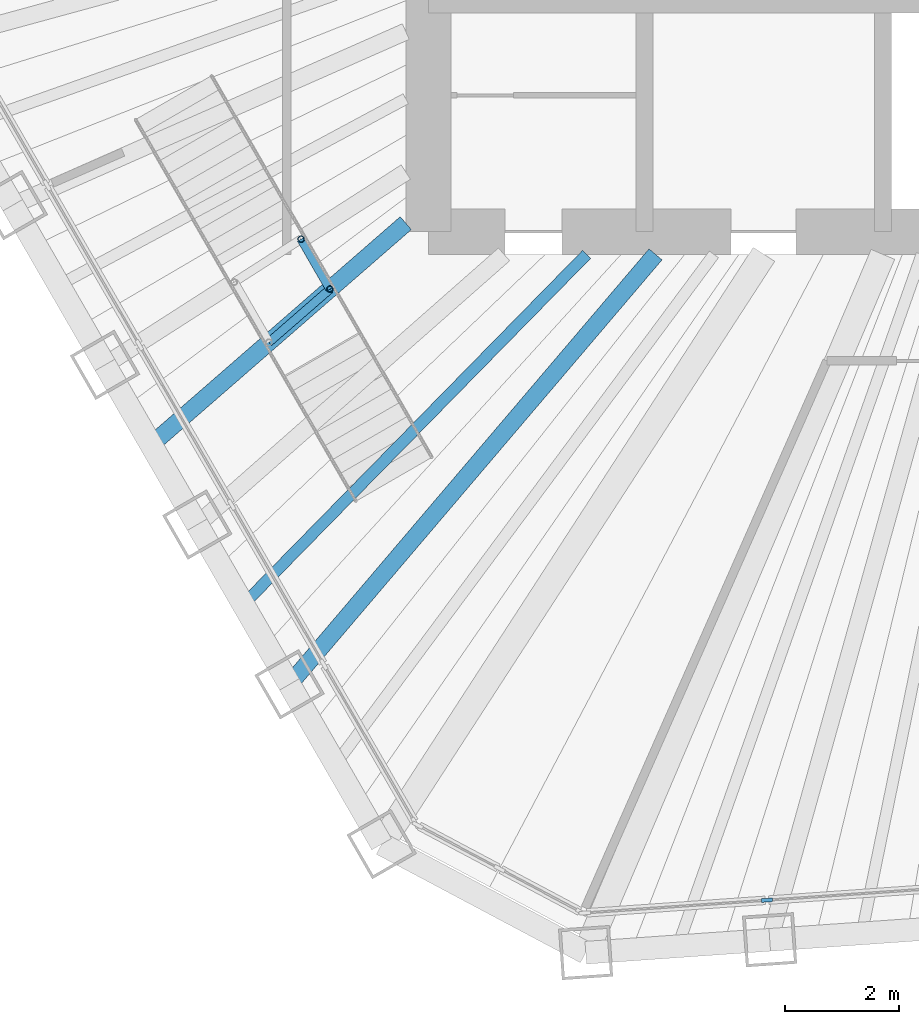
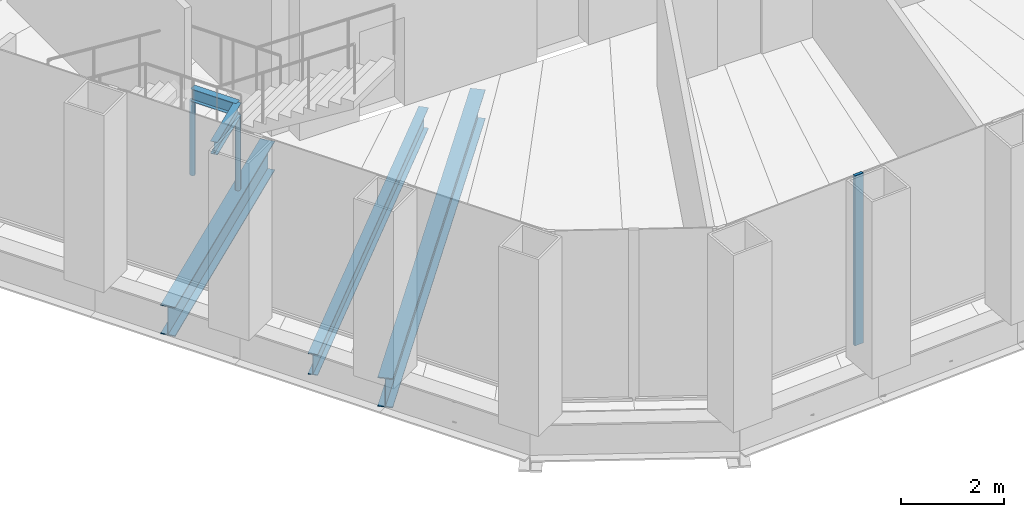
# One storey, part 4 of 17: 5 beams, 3 members, 1 element without a shape of its own.
"""IFC4 building model written with IfcOpenShell, lengths in metres."""

from ifc_helpers import new_model, si_unit, direction, frame, origin, origin_2d, place, context, subcontext, project, spatial, rectangle, hollow_circle, i_section, extrude, material, material_profile, profile_set, type_object, element, aggregate, save


model = new_model("IFC4")

# Units and contexts
model_context = context("Model", 3, precision=1e-05, world=origin(), true_north=direction((0.0, 1.0)))
body_context = subcontext(model_context, "Body", "Model", "MODEL_VIEW")
ifc_project = project(units=[si_unit("LENGTHUNIT", "METRE"), si_unit("AREAUNIT", "SQUARE_METRE"), si_unit("VOLUMEUNIT", "CUBIC_METRE"), si_unit("PLANEANGLEUNIT", "RADIAN"), si_unit("MASSUNIT", "GRAM", prefix="KILO")], contexts=[model_context])

# Site, building, storey
site_placement = place(None, origin())
site = spatial("IfcSite", under=ifc_project, at=site_placement, CompositionType="ELEMENT")
building_placement = place(site_placement, origin())
building = spatial("IfcBuilding", under=site, at=building_placement, Name="Qingtian Harvest Tower", CompositionType="ELEMENT")
storey_placement = place(building_placement, frame((0.0, 0.0, 329.199951171875)))
storey = spatial("IfcBuildingStorey", under=building, at=storey_placement, Name="L73", CompositionType="ELEMENT", Elevation=329.199951171875)

# Beams
ifc_material_1 = material(Name="Steel SN490B", Category="steel")
ifc_material_profile_1 = material_profile(ifc_material_1, i_section(OverallWidth=0.300048828125, OverallDepth=0.699951171875, WebThickness=0.012939453125, FlangeThickness=0.02392578125, at=origin_2d()), Name="H700x300x13x24")
ifc_profile_set_1 = profile_set([ifc_material_profile_1], Name="Steel SN490B")
beam_type_1 = type_object("IfcBeamType", Name="Floor beam FB4 H700x300x13x24", PredefinedType="BEAM", material=ifc_profile_set_1)
beam_1_placement = place(storey_placement, frame((-14.449462890625, -16.972900390625, -0.52001953125), z_axis=(0.648230392117, 0.761444258457, 0.0), x_axis=(-0.761444258457, 0.648230392117, 0.0)))
element("IfcBeam", 1, at=beam_1_placement, inside=storey, type_object=beam_type_1, Name="Floor beam FB4 SW1", PredefinedType="BEAM", context=body_context, shape_type="SweptSolid", body=[
    extrude(i_section(OverallWidth=0.300048828125, OverallDepth=0.699951171875, WebThickness=0.012939453125, FlangeThickness=0.02392578125, at=origin_2d()), origin(), (0.0, 0.0, 1.0), 9.945556640625),
])
ifc_material_2 = material(Name="Steel SN490B", Category="steel")
ifc_material_profile_2 = material_profile(ifc_material_2, i_section(OverallWidth=0.199951171875, OverallDepth=0.5, WebThickness=0.010009765625, FlangeThickness=0.01611328125, at=origin_2d()), Name="H500x200x10x16")
ifc_profile_set_2 = profile_set([ifc_material_profile_2], Name="Steel SN490B")
beam_type_2 = type_object("IfcBeamType", Name="Floor joist J3 H500x200x10x16", PredefinedType="JOIST", material=ifc_profile_set_2)
beam_2_placement = place(storey_placement, frame((-15.261474609375, -15.56640625, -0.419921875), z_axis=(0.700075085428, 0.714069236673, 0.0), x_axis=(-0.714069236673, 0.700075085428, 0.0)))
element("IfcBeam", 2, at=beam_2_placement, inside=storey, type_object=beam_type_2, Name="Floor joist J3 SW1", PredefinedType="JOIST", context=body_context, shape_type="SweptSolid", body=[
    extrude(i_section(OverallWidth=0.199951171875, OverallDepth=0.5, WebThickness=0.010009765625, FlangeThickness=0.01611328125, at=origin_2d()), origin(), (0.0, 0.0, 1.0), 8.6357421875),
])
ifc_material_3 = material(Name="Steel SN490B", Category="steel")
ifc_material_profile_3 = material_profile(ifc_material_3, i_section(OverallWidth=0.14990234375, OverallDepth=0.300048828125, WebThickness=0.006591796875, FlangeThickness=0.009033203125, at=origin_2d()), Name="H300x150x6.5x9")
ifc_profile_set_3 = profile_set([ifc_material_profile_3], Name="Steel SN490B")
beam_type_3 = type_object("IfcBeamType", Name="Landing beam LB1 H300x150x6.5x9", PredefinedType="BEAM", material=ifc_profile_set_3)
beam_3_placement = place(storey_placement, frame((-14.810791015625, -10.9482421875, 1.75), z_axis=(0.754281174663, 0.656551528479, 0.0), x_axis=(-0.656551528479, 0.754281174663, 0.0)))
element("IfcBeam", 3, at=beam_3_placement, inside=storey, type_object=beam_type_3, Name="Landing beam LB1 FS6 2", PredefinedType="BEAM", context=body_context, shape_type="SweptSolid", body=[
    extrude(i_section(OverallWidth=0.14990234375, OverallDepth=0.300048828125, WebThickness=0.006591796875, FlangeThickness=0.009033203125, at=origin_2d()), origin(), (0.0, 0.0, 1.0), 1.426513671875),
])
beam_4_placement = place(storey_placement, frame((-14.24267578125, -9.132080078125, 1.75), z_axis=(0.499965202759, -0.866045493049, 0.0), x_axis=(0.866045493049, 0.499965202759, 0.0)))
element("IfcBeam", 4, at=beam_4_placement, inside=storey, type_object=beam_type_3, Name="Landing beam LB1 FS6 4", PredefinedType="BEAM", context=body_context, shape_type="SweptSolid", body=[
    extrude(i_section(OverallWidth=0.14990234375, OverallDepth=0.300048828125, WebThickness=0.006591796875, FlangeThickness=0.009033203125, at=origin_2d()), origin(), (0.0, 0.0, 1.0), 1.015625),
])

# Members
ifc_material_4 = material(Name="Steel SN490B", Category="steel")
ifc_material_profile_4 = material_profile(ifc_material_4, hollow_circle(Radius=0.05712890625, WallThickness=0.00634765625, at=origin_2d()), Name="CHS114.3x6.3")
ifc_profile_set_4 = profile_set([ifc_material_profile_4], Name="Steel SN490B")
member_type_1 = type_object("IfcMemberType", Name="Landing post LP1 CHS114.3x6.3", PredefinedType="POST", material=ifc_profile_set_4)
for number, where, z_axis, x_axis, name in (
    (5, (-14.24267578125, -9.132080078125, -0.169921875), (0.0, 0.0, 1.0), (1.0, 0.0, 0.0), "Landing post LP1 FS6 2"),
    (6, (-13.73486328125, -10.01171875, -0.169921875), (0.0, 0.0, 1.0), (1.0, 0.0, 0.0), "Landing post LP1 FS6 4"),
):
    element("IfcMember", number, at=place(storey_placement, frame(where, z_axis=z_axis, x_axis=x_axis)), inside=storey, type_object=member_type_1, Name=name, PredefinedType="POST", context=body_context, shape_type="SweptSolid", body=[
        extrude(hollow_circle(Radius=0.05712890625, WallThickness=0.00634765625, at=origin_2d()), origin(), (0.0, 0.0, 1.0), 1.77001953125),
    ])

# Curtain wall, member
ifc_material_5 = material(Name="Bronze-anodised aluminium curtain wall", Category="aluminium")
curtain_wall_type = type_object("IfcCurtainWallType", Name="Curtain wall CW6 executive floors", PredefinedType="USERDEFINED", material=ifc_material_5)
curtain_wall_placement = place(storey_placement, origin())
curtain_wall = element("IfcCurtainWall", 7, at=curtain_wall_placement, inside=storey, type_object=curtain_wall_type, Name="Curtain wall CW6 L73 S0-5", ObjectType="RECESSED CURTAIN WALL", PredefinedType="USERDEFINED")
ifc_material_6 = material(Name="Bronze-anodised aluminium mullion", Category="aluminium")
ifc_material_profile_5 = material_profile(ifc_material_6, rectangle(XDim=0.06494140625, YDim=0.199951171875, at=origin_2d()), Name="AL 65x200")
ifc_profile_set_5 = profile_set([ifc_material_profile_5], Name="Bronze-anodised aluminium mullion")
member_type_2 = type_object("IfcMemberType", Name="Mullion CWM 65x200", PredefinedType="MULLION", material=ifc_profile_set_5)
member_placement = place(storey_placement, frame((-6.0400390625, -20.77197265625, 0.0), z_axis=(0.0, 0.0, 1.0), x_axis=(0.069756473744, -0.99756405026, 0.0)))
member = element("IfcMember", 8, at=member_placement, type_object=member_type_2, Name="CW6 mullion 6", PredefinedType="MULLION", context=body_context, shape_type="SweptSolid", body=[
    extrude(rectangle(XDim=0.06494140625, YDim=0.199951171875, at=origin_2d()), origin(), (0.0, 0.0, 1.0), 4.030029296875),
])
aggregate(curtain_wall, [member])

# Beam
ifc_material_7 = material(Name="Steel SN490B", Category="steel")
ifc_material_profile_6 = material_profile(ifc_material_7, i_section(OverallWidth=0.300048828125, OverallDepth=0.699951171875, WebThickness=0.012939453125, FlangeThickness=0.02392578125, at=origin_2d()), Name="H700x300x13x24")
ifc_profile_set_6 = profile_set([ifc_material_profile_6], Name="Steel SN490B")
beam_type_4 = type_object("IfcBeamType", Name="Stair trimmer joist JT1 H700x300x13x24", PredefinedType="JOIST", material=ifc_profile_set_6)
beam_5_placement = place(storey_placement, frame((-16.885498046875, -12.753662109375, -0.52001953125), z_axis=(0.754351783553, 0.656470400437, 0.0), x_axis=(-0.656470400437, 0.754351783553, 0.0)))
element("IfcBeam", 9, at=beam_5_placement, inside=storey, type_object=beam_type_4, Name="Stair trimmer joist JT1 SW2", PredefinedType="JOIST", context=body_context, shape_type="SweptSolid", body=[
    extrude(i_section(OverallWidth=0.300048828125, OverallDepth=0.699951171875, WebThickness=0.012939453125, FlangeThickness=0.02392578125, at=origin_2d()), origin(), (0.0, 0.0, 1.0), 5.9462890625),
])

save(model, "model.ifc")
